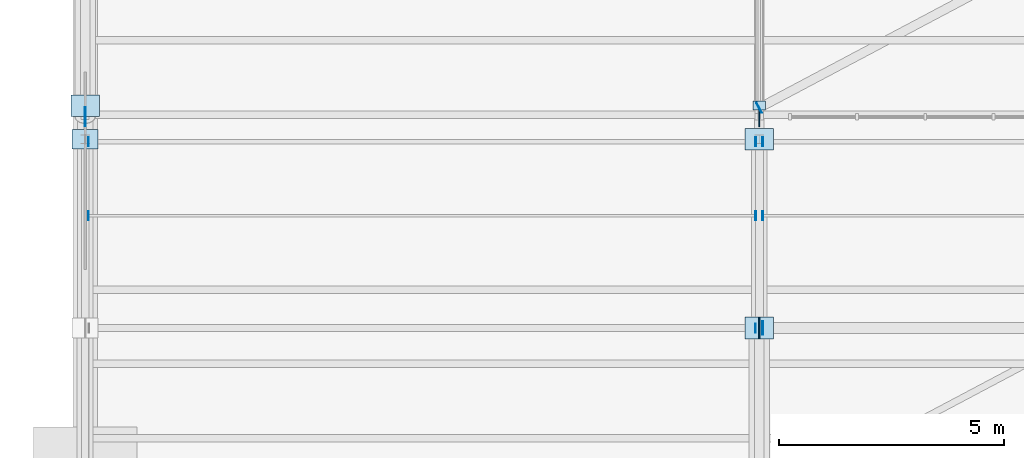
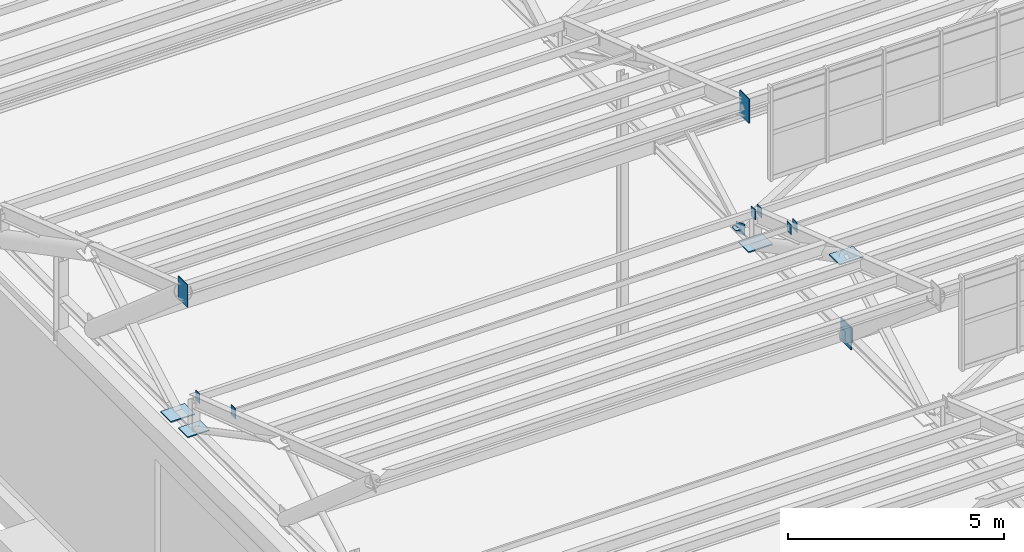
# One storey, part 203 of 285: 17 plates.
"""IFC4 building model written with IfcOpenShell, lengths in metres."""

import ifcopenshell
import ifcopenshell.guid

model = None  # the IFC model being written
_history = None  # IfcOwnerHistory: only IFC2X3 demands one
_inside = {}  # id of a spatial element -> (the spatial element, [elements in it])
_under = {}  # id of a project, library or spatial element -> (it, [spatial elements below it])
_declared = {}  # id of a project -> (the project, [libraries it declares])
_typed = {}  # id of a type object -> (the type object, [elements of that type])
_made_of = {}  # id of a material, layer set ... -> (it, [elements and type objects made of it])


def new_model(schema):
    """Start an empty IFC model of exactly this schema.

    Asked for "IFC4X3", IfcOpenShell would pick the latest addendum, in which some entities
    have other attributes; the version numbers below select the first issue.
    IFC2X3 requires an IfcOwnerHistory on every rooted entity: one is made here for all.
    """
    global model, _history
    if schema == "IFC4X3":
        model = ifcopenshell.file(schema_version=(4, 3, 0, 0))
    else:
        model = ifcopenshell.file(schema=schema)
    _inside.clear()
    _under.clear()
    _declared.clear()
    _typed.clear()
    _made_of.clear()
    _history = None
    if model.schema == "IFC2X3":
        org = make("IfcOrganization", Name="unknown")
        user = make(
            "IfcPersonAndOrganization",
            ThePerson=make("IfcPerson", FamilyName="unknown"),
            TheOrganization=org,
        )
        app = make(
            "IfcApplication",
            ApplicationDeveloper=org,
            Version="unknown",
            ApplicationFullName="unknown",
            ApplicationIdentifier="unknown",
        )
        _history = make(
            "IfcOwnerHistory",
            OwningUser=user,
            OwningApplication=app,
            ChangeAction="ADDED",
            CreationDate=0,
        )
    return model


def make(cls, **values):
    """One entity of the class cls with the attributes given. An attribute that is None is left unset."""
    return model.create_entity(
        cls, **{name: value for name, value in values.items() if value is not None}
    )


def rooted(cls, **values):
    """An entity with a GlobalId (a new one), such as an element, a storey or a relation."""
    return make(cls, GlobalId=ifcopenshell.guid.new(), OwnerHistory=_history, **values)


def si_unit(unit_type, name, prefix=None):
    """IfcSIUnit, for example si_unit("LENGTHUNIT", "METRE", prefix="MILLI")."""
    return make("IfcSIUnit", UnitType=unit_type, Prefix=prefix, Name=name)


def assignment(units):
    """IfcUnitAssignment: the units of a project."""
    return None if units is None else make("IfcUnitAssignment", Units=units)


def point(xyz):
    """IfcCartesianPoint."""
    return None if xyz is None else make("IfcCartesianPoint", Coordinates=xyz)


def direction(xyz):
    """IfcDirection."""
    return None if xyz is None else make("IfcDirection", DirectionRatios=xyz)


def frame(location, z_axis=None, x_axis=None):
    """IfcAxis2Placement3D, a coordinate frame: its origin and axes. An axis left out is left unset."""
    return make(
        "IfcAxis2Placement3D",
        Location=point(location),
        Axis=direction(z_axis),
        RefDirection=direction(x_axis),
    )


def frame_2d(location, x_axis=None):
    """IfcAxis2Placement2D, a coordinate frame in the plane: its origin and x axis."""
    return make(
        "IfcAxis2Placement2D", Location=point(location), RefDirection=direction(x_axis)
    )


def origin():
    """The frame at (0, 0, 0) with its axes left unset."""
    return frame((0.0, 0.0, 0.0))


def origin_2d():
    """The frame at (0, 0) in the plane with its x axis left unset."""
    return frame_2d((0.0, 0.0))


def place(relative_to, where):
    """IfcLocalPlacement: puts the frame where relative to a parent placement (None: the world)."""
    return make(
        "IfcLocalPlacement", PlacementRelTo=relative_to, RelativePlacement=where
    )


def context(
    kind, dimensions, precision=None, world=None, true_north=None, identifier=None
):
    """IfcGeometricRepresentationContext, for example the 3D "Model" context."""
    return make(
        "IfcGeometricRepresentationContext",
        ContextIdentifier=identifier,
        ContextType=kind,
        CoordinateSpaceDimension=dimensions,
        Precision=precision,
        WorldCoordinateSystem=world,
        TrueNorth=true_north,
    )


def subcontext(parent, identifier, kind, view, scale=None):
    """IfcGeometricRepresentationSubContext, for example "Body" below "Model"."""
    return make(
        "IfcGeometricRepresentationSubContext",
        ContextIdentifier=identifier,
        ContextType=kind,
        ParentContext=parent,
        TargetScale=scale,
        TargetView=view,
    )


def project(units=None, contexts=None):
    """IfcProject with its units and contexts."""
    return rooted(
        "IfcProject",
        Name="project",
        RepresentationContexts=contexts,
        UnitsInContext=assignment(units),
    )


def spatial(cls, under=None, at=None, **own):
    """A site, building, storey or space (cls), placed at a placement, below another one or the project."""
    s = rooted(cls, ObjectPlacement=at, **own)
    if under is not None:
        _under.setdefault(under.id(), (under, []))[1].append(s)
    return s


def profile(cls, at=None, kind="AREA", **sizes):
    """A parametric profile (cls). Its sizes go by their IFC names, for example OverallWidth=200.0."""
    return make(cls, ProfileType=kind, Position=at, **sizes)


def rectangle(**sizes):
    """IfcRectangleProfileDef."""
    return profile("IfcRectangleProfileDef", **sizes)


def extrude(swept, where, along, depth):
    """IfcExtrudedAreaSolid: the profile swept, set in the frame where, extruded along a direction by depth."""
    return make(
        "IfcExtrudedAreaSolid",
        SweptArea=swept,
        Position=where,
        ExtrudedDirection=direction(along),
        Depth=depth,
    )


def shape(context_of_items, identifier, shape_type, items):
    """IfcShapeRepresentation: the items that make up one representation, for example the "Body"."""
    return make(
        "IfcShapeRepresentation",
        ContextOfItems=context_of_items,
        RepresentationIdentifier=identifier,
        RepresentationType=shape_type,
        Items=items,
    )


def material(Name=None, Category=None):
    """IfcMaterial."""
    return make("IfcMaterial", Name=Name, Category=Category)


def layer(
    of_material, thickness, ventilated=None, Name=None, Category=None, Priority=None
):
    """IfcMaterialLayer: one layer of a wall or slab, of a material (None: an air gap)."""
    return make(
        "IfcMaterialLayer",
        Material=of_material,
        LayerThickness=thickness,
        IsVentilated=ventilated,
        Name=Name,
        Category=Category,
        Priority=Priority,
    )


def layer_set(layers, Name=None):
    """IfcMaterialLayerSet."""
    return make("IfcMaterialLayerSet", MaterialLayers=layers, LayerSetName=Name)


def made_of(thing, what):
    """Note that an element or type object is made of a material, layer set ...; save() writes the relation."""
    if what is not None:
        _made_of.setdefault(what.id(), (what, []))[1].append(thing)
    return thing


def type_object(cls, material=None, **own):
    """A type object (cls), such as IfcWallType, which elements share."""
    return made_of(rooted(cls, **own), material)


def element(
    cls,
    number,
    at=None,
    inside=None,
    cuts=None,
    type_object=None,
    material=None,
    context=None,
    identifier="Body",
    shape_type=None,
    held_by="IfcProductDefinitionShape",
    body=None,
    shapes=None,
    **own,
):
    """One element of the class cls, such as IfcWall. Its Tag is "e" and its number.

    at: its placement. inside: the storey or other place that contains it. cuts: it is an
    opening in that element (IfcRelVoidsElement). A single representation is given by context,
    identifier, shape_type and body (its items); several are given by shapes. held_by: the class
    of the entity that holds the representations. save() writes the other relations.
    """
    e = rooted(cls, Tag="e%d" % number, ObjectPlacement=at, **own)
    if body is not None:
        shapes = [shape(context, identifier, shape_type, body)]
    if shapes is not None:
        e.Representation = make(held_by, Representations=shapes)
    if inside is not None:
        _inside.setdefault(inside.id(), (inside, []))[1].append(e)
    if cuts is not None:
        rooted(
            "IfcRelVoidsElement", RelatingBuildingElement=cuts, RelatedOpeningElement=e
        )
    if type_object is not None:
        _typed.setdefault(type_object.id(), (type_object, []))[1].append(e)
    return made_of(e, material)


def aggregate(whole, parts):
    """IfcRelAggregates: a whole, such as a stair, and the parts it consists of."""
    return rooted("IfcRelAggregates", RelatingObject=whole, RelatedObjects=parts)


def save(model, path):
    """Write the relations noted so far, then the file.

    IfcRelAggregates (storeys below a building ...), IfcRelContainedInSpatialStructure (elements
    in a storey), IfcRelDefinesByType, IfcRelAssociatesMaterial and IfcRelDeclares: one each for
    every whole, place, type object, material and project.
    """
    for whole, parts in _under.values():
        aggregate(whole, parts)
    for where, things in _inside.values():
        rooted(
            "IfcRelContainedInSpatialStructure",
            RelatedElements=things,
            RelatingStructure=where,
        )
    for kind, things in _typed.values():
        rooted("IfcRelDefinesByType", RelatedObjects=things, RelatingType=kind)
    for what, things in _made_of.values():
        rooted("IfcRelAssociatesMaterial", RelatedObjects=things, RelatingMaterial=what)
    for by, libraries in _declared.values():
        rooted("IfcRelDeclares", RelatingContext=by, RelatedDefinitions=libraries)
    model.write(path)


model = new_model("IFC4")

# Units and contexts
model_context = context("Model", 3, precision=1e-05, world=origin(), true_north=direction((0.0, 1.0)))
body_context = subcontext(model_context, "Body", "Model", "MODEL_VIEW")
ifc_project = project(units=[si_unit("LENGTHUNIT", "METRE"), si_unit("AREAUNIT", "SQUARE_METRE"), si_unit("VOLUMEUNIT", "CUBIC_METRE"), si_unit("PLANEANGLEUNIT", "RADIAN"), si_unit("MASSUNIT", "GRAM", prefix="KILO")], contexts=[model_context])

# Site, building, storey
site_placement = place(None, origin())
site = spatial("IfcSite", under=ifc_project, at=site_placement, CompositionType="ELEMENT")
building_placement = place(site_placement, origin())
building = spatial("IfcBuilding", under=site, at=building_placement, Name="Solanera Park Tramway Depot", CompositionType="ELEMENT")
storey_placement = place(building_placement, origin())
storey = spatial("IfcBuildingStorey", under=building, at=storey_placement, Name="L00", CompositionType="ELEMENT", Elevation=0.0)

# Plates
ifc_material_1 = material(Name="Steel AS/NZS 3679.1 Grade 350", Category="steel")
ifc_layer_1 = layer(ifc_material_1, 0.013916015625)
ifc_layer_set_1 = layer_set([ifc_layer_1], Name="Steel AS/NZS 3679.1 Grade 350")
plate_type_1 = type_object("IfcPlateType", Name="Hollow End Cap and Base Plate 280x200x14", PredefinedType="USERDEFINED", material=ifc_layer_set_1)
for number, where, z_axis, x_axis, name in (
    (1, (0.07470703125, 106.64990234375, 7.8583984375), (0.0, 0.0, 1.0), (1.0, 0.0, 0.0), "Hollow Section Welded End Cap Plate #0572"),
    (2, (14.922119140625, 106.64990234375, 7.8583984375), (0.0, 0.0, 1.0), (1.0, 0.0, 0.0), "Hollow Section Welded End Cap Plate #0573"),
    (3, (15.077880859375, 106.64990234375, 7.8583984375), (0.0, 0.0, 1.0), (1.0, 0.0, 0.0), "Hollow Section Welded End Cap Plate #0574"),
    (4, (0.07470703125, 108.300048828125, 7.27294921875), (0.0, 0.0, 1.0), (1.0, 0.0, 0.0), "Hollow Section Welded End Cap Plate #0592"),
    (5, (14.922119140625, 108.300048828125, 7.27294921875), (0.0, 0.0, 1.0), (1.0, 0.0, 0.0), "Hollow Section Welded End Cap Plate #0593"),
    (6, (15.077880859375, 108.300048828125, 7.27294921875), (0.0, 0.0, 1.0), (1.0, 0.0, 0.0), "Hollow Section Welded End Cap Plate #0594"),
    (7, (14.9150390625, 104.14990234375, 6.35986328125), (0.0, 0.0, 1.0), (1.0, 0.0, 0.0), "Hollow Section Welded End Cap Plate #0613"),
):
    element("IfcPlate", number, at=place(storey_placement, frame(where, z_axis=z_axis, x_axis=x_axis)), inside=storey, type_object=plate_type_1, Name=name, ObjectType="BASE PLATE", PredefinedType="USERDEFINED", context=body_context, shape_type="SweptSolid", body=[
        extrude(rectangle(XDim=0.013916015625, YDim=0.199951171875, at=origin_2d()), origin(), (0.0, 0.0, 1.0), 0.280029296875),
    ])
plate_1_placement = place(storey_placement, frame((15.0, 109.10009765625, 6.4931640625), z_axis=(0.0, 0.0, 1.0), x_axis=(1.0, 0.0, 0.0)))
element("IfcPlate", 8, at=plate_1_placement, inside=storey, type_object=plate_type_1, Name="Sawtooth Truss Node Cap Plate #0637", ObjectType="BASE PLATE", PredefinedType="USERDEFINED", context=body_context, shape_type="SweptSolid", body=[
    extrude(rectangle(XDim=0.280029296875, YDim=0.199951171875, at=origin_2d()), origin(), (0.0, 0.0, 1.0), 0.013916015625),
])
ifc_material_2 = material(Name="Steel AS/NZS 3679.1 Grade 350", Category="steel")
ifc_layer_2 = layer(ifc_material_2, 0.01611328125)
ifc_layer_set_2 = layer_set([ifc_layer_2], Name="Steel AS/NZS 3679.1 Grade 350")
plate_type_2 = type_object("IfcPlateType", Name="Hollow End Cap and Base Plate 320x240x16", PredefinedType="USERDEFINED", material=ifc_layer_set_2)
plate_2_placement = place(storey_placement, frame((14.99853515625, 109.048095703125, 6.33984375), z_axis=(0.0, 0.0, 1.0), x_axis=(0.883520501477, 0.468392488698, 0.0)))
element("IfcPlate", 9, at=plate_2_placement, inside=storey, type_object=plate_type_2, Name="Hollow Section Welded End Cap Plate #0745", ObjectType="BASE PLATE", PredefinedType="USERDEFINED", context=body_context, shape_type="SweptSolid", body=[
    extrude(rectangle(XDim=0.01611328125, YDim=0.239990234375, at=origin_2d()), origin(), (0.0, 0.0, 1.0), 0.320068359375),
])
ifc_material_3 = material(Name="Steel AS/NZS 3679.1 Grade 350", Category="steel")
ifc_layer_3 = layer(ifc_material_3, 0.02001953125)
ifc_layer_set_3 = layer_set([ifc_layer_3], Name="Steel AS/NZS 3679.1 Grade 350")
plate_type_3 = type_object("IfcPlateType", Name="Hollow End Cap and Base Plate 400x300x20", PredefinedType="USERDEFINED", material=ifc_layer_set_3)
plate_3_placement = place(storey_placement, frame((15.08203125, 104.14990234375, 6.300048828125), z_axis=(0.0, 0.0, 1.0), x_axis=(1.0, 0.0, 0.0)))
element("IfcPlate", 10, at=plate_3_placement, inside=storey, type_object=plate_type_3, Name="Hollow Section Welded End Cap Plate #0614", ObjectType="BASE PLATE", PredefinedType="USERDEFINED", context=body_context, shape_type="SweptSolid", body=[
    extrude(rectangle(XDim=0.02001953125, YDim=0.300048828125, at=origin_2d()), origin(), (0.0, 0.0, 1.0), 0.39990234375),
])
ifc_material_4 = material(Name="Steel AS/NZS 3679.1 Grade 350", Category="steel")
ifc_layer_4 = layer(ifc_material_4, 0.028076171875)
ifc_layer_set_4 = layer_set([ifc_layer_4], Name="Steel AS/NZS 3679.1 Grade 350")
plate_type_4 = type_object("IfcPlateType", Name="Hollow End Cap and Base Plate 580x440x28", PredefinedType="USERDEFINED", material=ifc_layer_set_4)
plate_4_placement = place(storey_placement, frame((0.0, 108.35009765625, 6.48583984375), z_axis=(0.0, 0.0, 1.0), x_axis=(1.0, 0.0, 0.0)))
element("IfcPlate", 11, at=plate_4_placement, inside=storey, type_object=plate_type_4, Name="Sawtooth Truss Node Cap Plate #0519", ObjectType="BASE PLATE", PredefinedType="USERDEFINED", context=body_context, shape_type="SweptSolid", body=[
    extrude(rectangle(XDim=0.580078125, YDim=0.43994140625, at=origin_2d()), origin(), (0.0, 0.0, 1.0), 0.028076171875),
])
ifc_material_5 = material(Name="Steel AS/NZS 3679.1 Grade 350", Category="steel")
ifc_layer_5 = layer(ifc_material_5, 0.031982421875)
ifc_layer_set_5 = layer_set([ifc_layer_5], Name="Steel AS/NZS 3679.1 Grade 350")
plate_type_5 = type_object("IfcPlateType", Name="Hollow End Cap and Base Plate 640x480x32", PredefinedType="USERDEFINED", material=ifc_layer_set_5)
plate_5_placement = place(storey_placement, frame((15.0, 104.14990234375, 6.18017578125), z_axis=(0.0, 0.0, 1.0), x_axis=(1.0, 0.0, 0.0)))
element("IfcPlate", 12, at=plate_5_placement, inside=storey, type_object=plate_type_5, Name="Sawtooth Truss Hollow End Cap #0523", ObjectType="BASE PLATE", PredefinedType="USERDEFINED", context=body_context, shape_type="SweptSolid", body=[
    extrude(rectangle(XDim=0.031982421875, YDim=0.47998046875, at=origin_2d()), origin(), (0.0, 0.0, 1.0), 0.639892578125),
])
for number, where, z_axis, x_axis, name in (
    (13, (15.0, 108.35009765625, 6.48388671875), (0.0, 0.0, 1.0), (1.0, 0.0, 0.0), "Sawtooth Truss Node Cap Plate #0524"),
    (14, (15.0, 104.14990234375, 8.67724609375), (0.0, 0.0, 1.0), (1.0, 0.0, 0.0), "Sawtooth Truss Node Cap Plate #0525"),
    (15, (0.0, 109.10009765625, 6.48388671875), (0.0, 0.0, 1.0), (1.0, 0.0, 0.0), "Sawtooth Truss Node Cap Plate #0632"),
):
    element("IfcPlate", number, at=place(storey_placement, frame(where, z_axis=z_axis, x_axis=x_axis)), inside=storey, type_object=plate_type_5, Name=name, ObjectType="BASE PLATE", PredefinedType="USERDEFINED", context=body_context, shape_type="SweptSolid", body=[
        extrude(rectangle(XDim=0.639892578125, YDim=0.47998046875, at=origin_2d()), origin(), (0.0, 0.0, 1.0), 0.031982421875),
    ])
ifc_material_6 = material(Name="Steel AS/NZS 3679.1 Grade 350", Category="steel")
ifc_layer_6 = layer(ifc_material_6, 0.02197265625)
ifc_layer_set_6 = layer_set([ifc_layer_6], Name="Steel AS/NZS 3679.1 Grade 350")
plate_type_6 = type_object("IfcPlateType", Name="Truss Node Gusset Stiffener 640x420x22", PredefinedType="SHEET", material=ifc_layer_set_6)
plate_6_placement = place(storey_placement, frame((0.0, 108.85009765625, 9.76171875), z_axis=(0.0, 0.0, 1.0), x_axis=(1.0, 0.0, 0.0)))
element("IfcPlate", 16, at=plate_6_placement, inside=storey, type_object=plate_type_6, Name="Sawtooth Truss Apex Gusset Plate #0628", PredefinedType="SHEET", context=body_context, shape_type="SweptSolid", body=[
    extrude(rectangle(XDim=0.02197265625, YDim=0.419921875, at=origin_2d()), origin(), (0.0, 0.0, 1.0), 0.639892578125),
])
ifc_material_7 = material(Name="Steel AS/NZS 3679.1 Grade 350", Category="steel")
ifc_layer_7 = layer(ifc_material_7, 0.02392578125)
ifc_layer_set_7 = layer_set([ifc_layer_7], Name="Steel AS/NZS 3679.1 Grade 350")
plate_type_7 = type_object("IfcPlateType", Name="Truss Node Gusset Stiffener 680x440x24", PredefinedType="SHEET", material=ifc_layer_set_7)
plate_7_placement = place(storey_placement, frame((15.0, 108.85009765625, 9.71630859375), z_axis=(0.0, 0.0, 1.0), x_axis=(1.0, 0.0, 0.0)))
element("IfcPlate", 17, at=plate_7_placement, inside=storey, type_object=plate_type_7, Name="Sawtooth Truss Apex Gusset Plate #0633", PredefinedType="SHEET", context=body_context, shape_type="SweptSolid", body=[
    extrude(rectangle(XDim=0.02392578125, YDim=0.43994140625, at=origin_2d()), origin(), (0.0, 0.0, 1.0), 0.679931640625),
])

save(model, "model.ifc")
